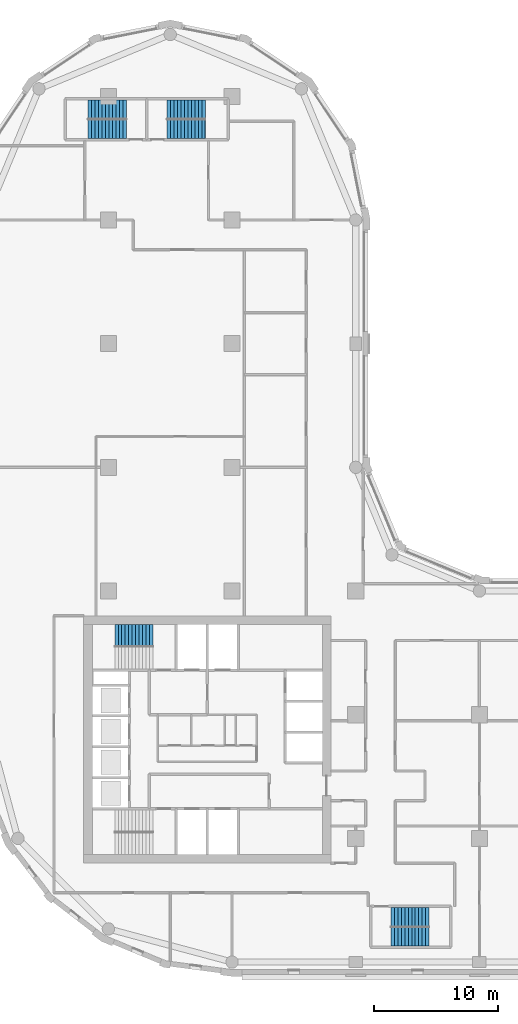
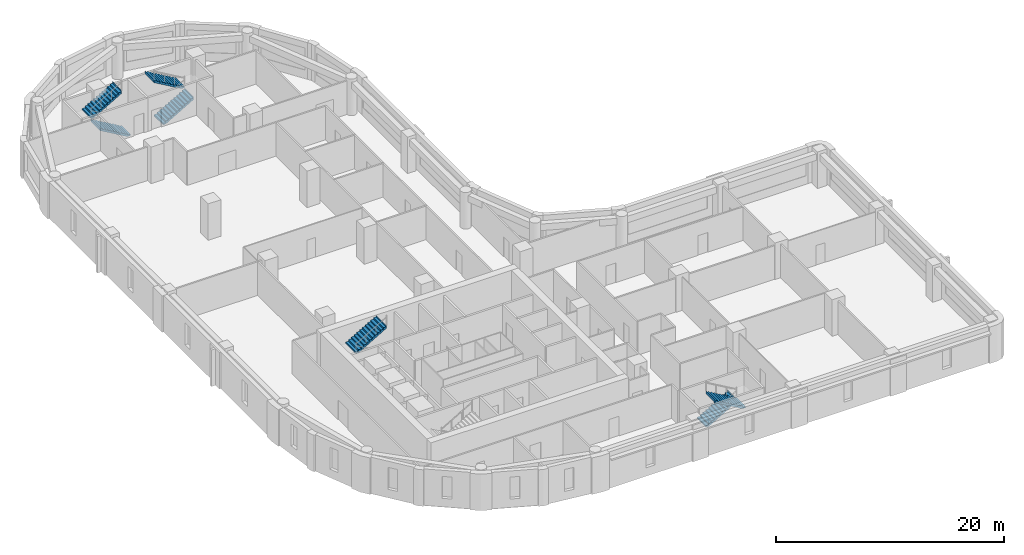
# One storey, part 7 of 9: 7 stair flights, 4 elements without a shape of their own.
"""IFC4 building model written with IfcOpenShell, lengths in metres."""

from ifc_helpers import new_model, si_unit, direction, frame, origin, place, context, subcontext, project, spatial, polyline, outline, extrude, material, type_object, element, aggregate, save


model = new_model("IFC4")

# Units and contexts
model_context = context("Model", 3, precision=1e-05, world=origin(), true_north=direction((0.0, 1.0)))
body_context = subcontext(model_context, "Body", "Model", "MODEL_VIEW")
ifc_project = project(units=[si_unit("LENGTHUNIT", "METRE"), si_unit("AREAUNIT", "SQUARE_METRE"), si_unit("VOLUMEUNIT", "CUBIC_METRE"), si_unit("PLANEANGLEUNIT", "RADIAN"), si_unit("MASSUNIT", "GRAM", prefix="KILO")], contexts=[model_context])

# Site, building, storey
site_placement = place(None, origin())
site = spatial("IfcSite", under=ifc_project, at=site_placement, CompositionType="ELEMENT")
building_placement = place(site_placement, origin())
building = spatial("IfcBuilding", under=site, at=building_placement, Name="Qaws Garden Tower", CompositionType="ELEMENT")
storey_placement = place(building_placement, frame((0.0, 0.0, 155.10009765625)))
storey = spatial("IfcBuildingStorey", under=building, at=storey_placement, Name="L37", CompositionType="ELEMENT", Elevation=155.10009765625)

# Stair, stair flights
ifc_material_1 = material(Name="Concrete C40", Category="concrete")
stair_type_1 = type_object("IfcStairType", Name="Exit stair 1350", PredefinedType="HALF_TURN_STAIR", material=ifc_material_1)
placement = place(storey_placement, origin())
stair_1 = element("IfcStair", 1, at=placement, inside=storey, type_object=stair_type_1, Name="Stair 5", PredefinedType="HALF_TURN_STAIR")
ifc_material_2 = material(Name="Concrete C40", Category="concrete")
stair_flight_type_1 = type_object("IfcStairFlightType", Name="Stair flight 1350", PredefinedType="STRAIGHT", material=ifc_material_2)
stair_flight_1_placement = place(storey_placement, frame((32.85009765625, 3.625, 0.0), z_axis=(0.0, 0.0, 1.0), x_axis=(1.0, 0.0, 0.0)))
stair_flight_1 = element("IfcStairFlight", 2, at=stair_flight_1_placement, type_object=stair_flight_type_1, Name="ST5 flight 1", NumberOfRisers=12, NumberOfTreads=11, PredefinedType="STRAIGHT", RiserHeight=0.1625, TreadLength=0.28, context=body_context, shape_type="SweptSolid", body=[
    extrude(outline(polyline([(-0.0029296875, 0.0), (-0.0029296875, 0.16259765625), (0.0, 0.16259765625), (0.280029296875, 0.16259765625), (0.280029296875, 0.324951171875), (0.56005859375, 0.324951171875), (0.56005859375, 0.487548828125), (0.840087890625, 0.487548828125), (0.840087890625, 0.64990234375), (1.1201171875, 0.64990234375), (1.1201171875, 0.8125), (1.39990234375, 0.8125), (1.39990234375, 0.97509765625), (1.679931640625, 0.97509765625), (1.679931640625, 1.137451171875), (1.9599609375, 1.137451171875), (1.9599609375, 1.300048828125), (2.239990234375, 1.300048828125), (2.239990234375, 1.46240234375), (2.52001953125, 1.46240234375), (2.52001953125, 1.625), (2.800048828125, 1.625), (2.800048828125, 1.78759765625), (3.080078125, 1.78759765625), (3.080078125, 1.949951171875), (3.0830078125, 1.949951171875), (3.0830078125, 1.6142578125), (3.080078125, 1.6142578125), (0.298583984375, 0.0), (-0.0029296875, 0.0)])), frame((0.0, 0.77490234375, 0.0), z_axis=(0.0, -1.0, 0.0), x_axis=(1.0, 0.0, 0.0)), (0.0, 0.0, 1.0), 1.550048828125),
])
stair_flight_2_placement = place(storey_placement, frame((35.929931640625, 2.074951171875, 1.949951171875), z_axis=(0.0, 0.0, 1.0), x_axis=(-1.0, 0.0, 0.0)))
stair_flight_2 = element("IfcStairFlight", 3, at=stair_flight_2_placement, type_object=stair_flight_type_1, Name="ST5 flight 2", NumberOfRisers=12, NumberOfTreads=11, PredefinedType="STRAIGHT", RiserHeight=0.1625, TreadLength=0.28, context=body_context, shape_type="SweptSolid", body=[
    extrude(outline(polyline([(-0.0029296875, 0.0), (-0.0029296875, 0.16259765625), (0.0, 0.16259765625), (0.280029296875, 0.16259765625), (0.280029296875, 0.324951171875), (0.56005859375, 0.324951171875), (0.56005859375, 0.487548828125), (0.840087890625, 0.487548828125), (0.840087890625, 0.64990234375), (1.1201171875, 0.64990234375), (1.1201171875, 0.8125), (1.39990234375, 0.8125), (1.39990234375, 0.97509765625), (1.679931640625, 0.97509765625), (1.679931640625, 1.137451171875), (1.9599609375, 1.137451171875), (1.9599609375, 1.300048828125), (2.239990234375, 1.300048828125), (2.239990234375, 1.46240234375), (2.52001953125, 1.46240234375), (2.52001953125, 1.625), (2.800048828125, 1.625), (2.800048828125, 1.78759765625), (3.080078125, 1.78759765625), (3.080078125, 1.949951171875), (3.0830078125, 1.949951171875), (3.0830078125, 1.6142578125), (3.080078125, 1.6142578125), (0.298583984375, 0.0), (-0.0029296875, 0.0)])), frame((0.0, 0.77490234375, 0.0), z_axis=(0.0, -1.0, 0.0), x_axis=(1.0, 0.0, 0.0)), (0.0, 0.0, 1.0), 1.550048828125),
])
aggregate(stair_1, [stair_flight_1, stair_flight_2])

stair_2 = element("IfcStair", 4, at=placement, inside=storey, type_object=stair_type_1, Name="Stair 6", PredefinedType="HALF_TURN_STAIR")
stair_flight_3_placement = place(storey_placement, frame((11.449951171875, 67.375, 0.0), z_axis=(0.0, 0.0, 1.0), x_axis=(-1.0, 0.0, 0.0)))
stair_flight_3 = element("IfcStairFlight", 5, at=stair_flight_3_placement, type_object=stair_flight_type_1, Name="ST6 flight 1", NumberOfRisers=12, NumberOfTreads=11, PredefinedType="STRAIGHT", RiserHeight=0.1625, TreadLength=0.28, context=body_context, shape_type="SweptSolid", body=[
    extrude(outline(polyline([(-0.0029296875, 0.0), (-0.0029296875, 0.16259765625), (0.0, 0.16259765625), (0.280029296875, 0.16259765625), (0.280029296875, 0.324951171875), (0.56005859375, 0.324951171875), (0.56005859375, 0.487548828125), (0.840087890625, 0.487548828125), (0.840087890625, 0.64990234375), (1.1201171875, 0.64990234375), (1.1201171875, 0.8125), (1.39990234375, 0.8125), (1.39990234375, 0.97509765625), (1.679931640625, 0.97509765625), (1.679931640625, 1.137451171875), (1.9599609375, 1.137451171875), (1.9599609375, 1.300048828125), (2.239990234375, 1.300048828125), (2.239990234375, 1.46240234375), (2.52001953125, 1.46240234375), (2.52001953125, 1.625), (2.800048828125, 1.625), (2.800048828125, 1.78759765625), (3.080078125, 1.78759765625), (3.080078125, 1.949951171875), (3.0830078125, 1.949951171875), (3.0830078125, 1.6142578125), (3.080078125, 1.6142578125), (0.298583984375, 0.0), (-0.0029296875, 0.0)])), frame((0.0, 0.77490234375, 0.0), z_axis=(0.0, -1.0, 0.0), x_axis=(1.0, 0.0, 0.0)), (0.0, 0.0, 1.0), 1.550048828125),
])
stair_flight_4_placement = place(storey_placement, frame((8.3701171875, 68.925048828125, 1.949951171875), z_axis=(0.0, 0.0, 1.0), x_axis=(1.0, 0.0, 0.0)))
stair_flight_4 = element("IfcStairFlight", 6, at=stair_flight_4_placement, type_object=stair_flight_type_1, Name="ST6 flight 2", NumberOfRisers=12, NumberOfTreads=11, PredefinedType="STRAIGHT", RiserHeight=0.1625, TreadLength=0.28, context=body_context, shape_type="SweptSolid", body=[
    extrude(outline(polyline([(-0.0029296875, 0.0), (-0.0029296875, 0.16259765625), (0.0, 0.16259765625), (0.280029296875, 0.16259765625), (0.280029296875, 0.324951171875), (0.56005859375, 0.324951171875), (0.56005859375, 0.487548828125), (0.840087890625, 0.487548828125), (0.840087890625, 0.64990234375), (1.1201171875, 0.64990234375), (1.1201171875, 0.8125), (1.39990234375, 0.8125), (1.39990234375, 0.97509765625), (1.679931640625, 0.97509765625), (1.679931640625, 1.137451171875), (1.9599609375, 1.137451171875), (1.9599609375, 1.300048828125), (2.239990234375, 1.300048828125), (2.239990234375, 1.46240234375), (2.52001953125, 1.46240234375), (2.52001953125, 1.625), (2.800048828125, 1.625), (2.800048828125, 1.78759765625), (3.080078125, 1.78759765625), (3.080078125, 1.949951171875), (3.0830078125, 1.949951171875), (3.0830078125, 1.6142578125), (3.080078125, 1.6142578125), (0.298583984375, 0.0), (-0.0029296875, 0.0)])), frame((0.0, 0.77490234375, 0.0), z_axis=(0.0, -1.0, 0.0), x_axis=(1.0, 0.0, 0.0)), (0.0, 0.0, 1.0), 1.550048828125),
])
aggregate(stair_2, [stair_flight_3, stair_flight_4])

stair_3 = element("IfcStair", 7, at=placement, inside=storey, type_object=stair_type_1, Name="Stair 7", PredefinedType="HALF_TURN_STAIR")
stair_flight_5_placement = place(storey_placement, frame((14.75, 67.375, 0.0), z_axis=(0.0, 0.0, 1.0), x_axis=(1.0, 0.0, 0.0)))
stair_flight_5 = element("IfcStairFlight", 8, at=stair_flight_5_placement, type_object=stair_flight_type_1, Name="ST7 flight 1", NumberOfRisers=12, NumberOfTreads=11, PredefinedType="STRAIGHT", RiserHeight=0.1625, TreadLength=0.28, context=body_context, shape_type="SweptSolid", body=[
    extrude(outline(polyline([(-0.0029296875, 0.0), (-0.0029296875, 0.16259765625), (0.0, 0.16259765625), (0.280029296875, 0.16259765625), (0.280029296875, 0.324951171875), (0.56005859375, 0.324951171875), (0.56005859375, 0.487548828125), (0.840087890625, 0.487548828125), (0.840087890625, 0.64990234375), (1.1201171875, 0.64990234375), (1.1201171875, 0.8125), (1.39990234375, 0.8125), (1.39990234375, 0.97509765625), (1.679931640625, 0.97509765625), (1.679931640625, 1.137451171875), (1.9599609375, 1.137451171875), (1.9599609375, 1.300048828125), (2.239990234375, 1.300048828125), (2.239990234375, 1.46240234375), (2.52001953125, 1.46240234375), (2.52001953125, 1.625), (2.800048828125, 1.625), (2.800048828125, 1.78759765625), (3.080078125, 1.78759765625), (3.080078125, 1.949951171875), (3.0830078125, 1.949951171875), (3.0830078125, 1.6142578125), (3.080078125, 1.6142578125), (0.298583984375, 0.0), (-0.0029296875, 0.0)])), frame((0.0, 0.77490234375, 0.0), z_axis=(0.0, -1.0, 0.0), x_axis=(1.0, 0.0, 0.0)), (0.0, 0.0, 1.0), 1.550048828125),
])
stair_flight_6_placement = place(storey_placement, frame((17.830078125, 68.925048828125, 1.949951171875), z_axis=(0.0, 0.0, 1.0), x_axis=(-1.0, 0.0, 0.0)))
stair_flight_6 = element("IfcStairFlight", 9, at=stair_flight_6_placement, type_object=stair_flight_type_1, Name="ST7 flight 2", NumberOfRisers=12, NumberOfTreads=11, PredefinedType="STRAIGHT", RiserHeight=0.1625, TreadLength=0.28, context=body_context, shape_type="SweptSolid", body=[
    extrude(outline(polyline([(-0.0029296875, 0.0), (-0.0029296875, 0.16259765625), (0.0, 0.16259765625), (0.280029296875, 0.16259765625), (0.280029296875, 0.324951171875), (0.56005859375, 0.324951171875), (0.56005859375, 0.487548828125), (0.840087890625, 0.487548828125), (0.840087890625, 0.64990234375), (1.1201171875, 0.64990234375), (1.1201171875, 0.8125), (1.39990234375, 0.8125), (1.39990234375, 0.97509765625), (1.679931640625, 0.97509765625), (1.679931640625, 1.137451171875), (1.9599609375, 1.137451171875), (1.9599609375, 1.300048828125), (2.239990234375, 1.300048828125), (2.239990234375, 1.46240234375), (2.52001953125, 1.46240234375), (2.52001953125, 1.625), (2.800048828125, 1.625), (2.800048828125, 1.78759765625), (3.080078125, 1.78759765625), (3.080078125, 1.949951171875), (3.0830078125, 1.949951171875), (3.0830078125, 1.6142578125), (3.080078125, 1.6142578125), (0.298583984375, 0.0), (-0.0029296875, 0.0)])), frame((0.0, 0.77490234375, 0.0), z_axis=(0.0, -1.0, 0.0), x_axis=(1.0, 0.0, 0.0)), (0.0, 0.0, 1.0), 1.550048828125),
])
aggregate(stair_3, [stair_flight_5, stair_flight_6])

# Stair, stair flight
ifc_material_3 = material(Name="Concrete C40", Category="concrete")
stair_type_2 = type_object("IfcStairType", Name="Exit stair 1500", PredefinedType="HALF_TURN_STAIR", material=ifc_material_3)
stair_4 = element("IfcStair", 10, at=placement, inside=storey, type_object=stair_type_2, Name="Stair 4", PredefinedType="HALF_TURN_STAIR")
ifc_material_4 = material(Name="Concrete C40", Category="concrete")
stair_flight_type_2 = type_object("IfcStairFlightType", Name="Stair flight 1500", PredefinedType="STRAIGHT", material=ifc_material_4)
stair_flight_7_placement = place(storey_placement, frame((10.52001953125, 26.39990234375, 1.949951171875), z_axis=(0.0, 0.0, 1.0), x_axis=(1.0, 0.0, 0.0)))
stair_flight_7 = element("IfcStairFlight", 11, at=stair_flight_7_placement, type_object=stair_flight_type_2, Name="ST4 flight 2", NumberOfRisers=12, NumberOfTreads=11, PredefinedType="STRAIGHT", RiserHeight=0.1625, TreadLength=0.28, context=body_context, shape_type="SweptSolid", body=[
    extrude(outline(polyline([(-0.0029296875, 0.0), (-0.0029296875, 0.16259765625), (0.0, 0.16259765625), (0.280029296875, 0.16259765625), (0.280029296875, 0.324951171875), (0.56005859375, 0.324951171875), (0.56005859375, 0.487548828125), (0.840087890625, 0.487548828125), (0.840087890625, 0.64990234375), (1.1201171875, 0.64990234375), (1.1201171875, 0.8125), (1.39990234375, 0.8125), (1.39990234375, 0.97509765625), (1.679931640625, 0.97509765625), (1.679931640625, 1.137451171875), (1.9599609375, 1.137451171875), (1.9599609375, 1.300048828125), (2.239990234375, 1.300048828125), (2.239990234375, 1.46240234375), (2.52001953125, 1.46240234375), (2.52001953125, 1.625), (2.800048828125, 1.625), (2.800048828125, 1.78759765625), (3.080078125, 1.78759765625), (3.080078125, 1.949951171875), (3.0830078125, 1.949951171875), (3.0830078125, 1.6142578125), (3.080078125, 1.6142578125), (0.298583984375, 0.0), (-0.0029296875, 0.0)])), frame((0.0, 0.89501953125, 0.0), z_axis=(0.0, -1.0, 0.0), x_axis=(1.0, 0.0, 0.0)), (0.0, 0.0, 1.0), 1.7900390625),
])
aggregate(stair_4, [stair_flight_7])

save(model, "model.ifc")
